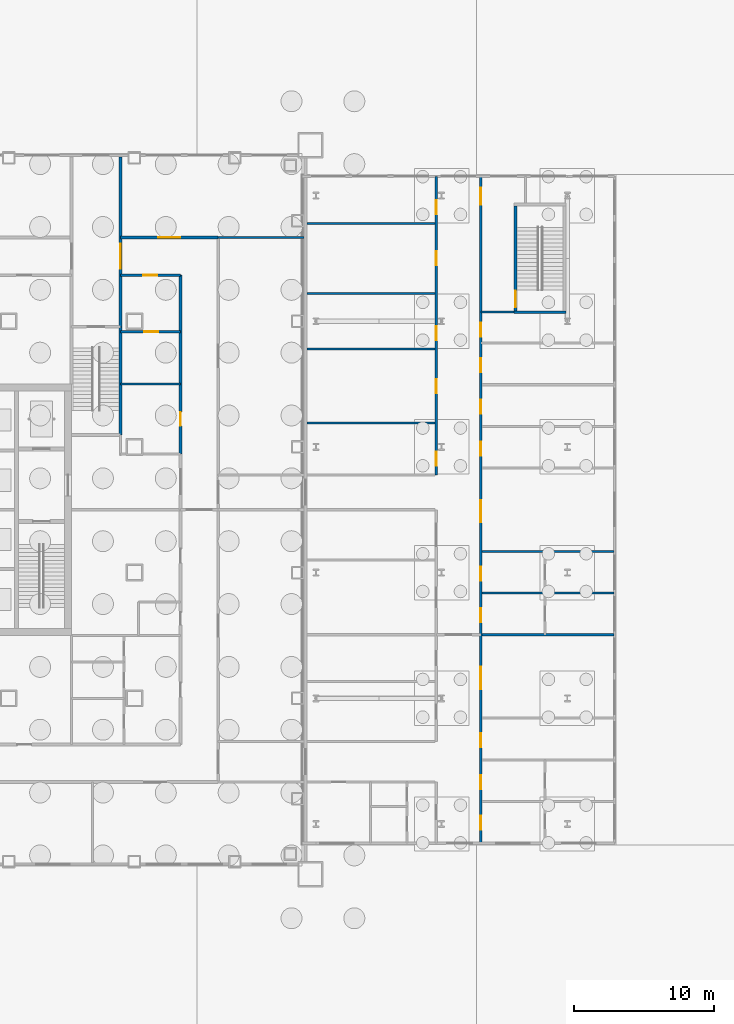
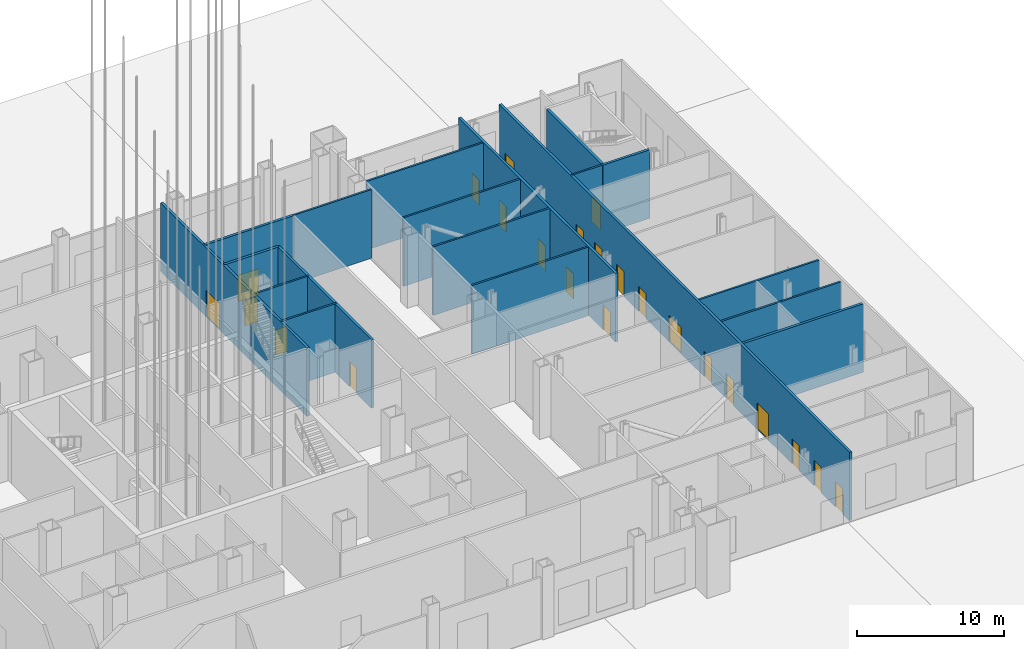
# One storey, part 11 of 36: 23 doors, 20 walls, 23 openings.
"""IFC4 building model written with IfcOpenShell, lengths in metres."""

from ifc_helpers import new_model, si_unit, direction, frame, frame_2d, origin, place, context, subcontext, project, spatial, rectangle, extrude, material, layer, layer_set, type_object, element, fill, save


model = new_model("IFC4")

# Units and contexts
model_context = context("Model", 3, precision=1e-05, world=origin(), true_north=direction((0.0, 1.0)))
body_context = subcontext(model_context, "Body", "Model", "MODEL_VIEW")
ifc_project = project(units=[si_unit("LENGTHUNIT", "METRE"), si_unit("AREAUNIT", "SQUARE_METRE"), si_unit("VOLUMEUNIT", "CUBIC_METRE"), si_unit("PLANEANGLEUNIT", "RADIAN"), si_unit("MASSUNIT", "GRAM", prefix="KILO")], contexts=[model_context])

# Site, building, storey
site_placement = place(None, origin())
site = spatial("IfcSite", under=ifc_project, at=site_placement, CompositionType="ELEMENT")
building_placement = place(site_placement, origin())
building = spatial("IfcBuilding", under=site, at=building_placement, Name="Malebo Sky Hospital", CompositionType="ELEMENT")
storey_placement = place(building_placement, origin())
storey = spatial("IfcBuildingStorey", under=building, at=storey_placement, Name="L00", CompositionType="ELEMENT", Elevation=0.0)

# Wall, opening, door
ifc_material_1 = material(Name="Gypsum board on steel studs", Category="steel")
ifc_layer_1 = layer(ifc_material_1, 0.199951171875)
ifc_layer_set_1 = layer_set([ifc_layer_1], Name="CORRIDOR WALL 200")
wall_type_1 = type_object("IfcWallType", Name="CORRIDOR WALL 200", PredefinedType="PARTITIONING", material=ifc_layer_set_1)
wall_1_placement = place(storey_placement, frame((72.5, 81.5, 0.0), z_axis=(0.0, 0.0, 1.0), x_axis=(1.0, 0.0, 0.0)))
wall_1 = element("IfcWall", 1, at=wall_1_placement, inside=storey, type_object=wall_type_1, Name="Corridor Wall 200 NCO/2", PredefinedType="PARTITIONING", context=body_context, shape_type="SweptSolid", body=[
    extrude(rectangle(XDim=7.0, YDim=0.199951171875, at=frame_2d((3.5, 0.0))), origin(), (0.0, 0.0, 1.0), 5.699951171875),
])
opening_1_placement = place(wall_1_placement, frame((2.699951171875, 0.0, 0.0)))
opening_1 = element("IfcOpeningElement", 2, at=opening_1_placement, cuts=wall_1, Name="Opening D14", PredefinedType="OPENING", context=body_context, shape_type="SweptSolid", body=[
    extrude(rectangle(XDim=1.60009765625, YDim=2.199951171875, at=frame_2d((0.800048828125, 1.10009765625))), frame((0.0, 0.10986328125, 0.0), z_axis=(0.0, -1.0, 0.0), x_axis=(1.0, 0.0, 0.0)), (0.0, 0.0, 1.0), 0.219970703125),
])
ifc_material_2 = material(Name="Hardwood-faced door leaf in steel frame", Category="steel")
door_type_1 = type_object("IfcDoorType", Name="DEPARTMENT DOOR PAIR 1600", OperationType="DOUBLE_DOOR_DOUBLE_SWING", PredefinedType="DOOR", material=ifc_material_2)
door_1_placement = place(opening_1_placement, origin())
door_1 = element("IfcDoor", 3, at=door_1_placement, inside=storey, type_object=door_type_1, Name="Retail pharmacy door", OperationType="DOUBLE_DOOR_DOUBLE_SWING", OverallHeight=2.199951171875, OverallWidth=1.60009765625, PredefinedType="DOOR", context=body_context, shape_type="SweptSolid", body=[
    extrude(rectangle(XDim=1.60009765625, YDim=2.199951171875, at=frame_2d((0.800048828125, 1.10009765625))), frame((0.0, 0.02490234375, 0.0), z_axis=(0.0, -1.0, 0.0), x_axis=(1.0, 0.0, 0.0)), (0.0, 0.0, 1.0), 0.050048828125),
])
fill(opening_1, door_1)

wall_2_placement = place(storey_placement, frame((72.5, 78.800048828125, 0.0), z_axis=(0.0, 0.0, 1.0), x_axis=(1.0, 0.0, 0.0)))
wall_2 = element("IfcWall", 4, at=wall_2_placement, inside=storey, type_object=wall_type_1, Name="Corridor Wall 200 NCI2/2", PredefinedType="PARTITIONING", context=body_context, shape_type="SweptSolid", body=[
    extrude(rectangle(XDim=4.300048828125, YDim=0.199951171875, at=frame_2d((2.14990234375, 0.0))), origin(), (0.0, 0.0, 1.0), 5.699951171875),
])
opening_2_placement = place(wall_2_placement, frame((1.64990234375, 0.0, 0.0)))
opening_2 = element("IfcOpeningElement", 5, at=opening_2_placement, cuts=wall_2, Name="Opening D03", PredefinedType="OPENING", context=body_context, shape_type="SweptSolid", body=[
    extrude(rectangle(XDim=1.0, YDim=2.10009765625, at=frame_2d((0.5, 1.050048828125))), frame((0.0, 0.10986328125, 0.0), z_axis=(0.0, -1.0, 0.0), x_axis=(1.0, 0.0, 0.0)), (0.0, 0.0, 1.0), 0.219970703125),
])
door_type_2 = type_object("IfcDoorType", Name="ROOM DOOR 1000", OperationType="SINGLE_SWING_LEFT", PredefinedType="DOOR", material=ifc_material_2)
door_2_placement = place(opening_2_placement, origin())
door_2 = element("IfcDoor", 6, at=door_2_placement, inside=storey, type_object=door_type_2, Name="Patient WC vestibule door", OperationType="SINGLE_SWING_LEFT", OverallHeight=2.10009765625, OverallWidth=1.0, PredefinedType="DOOR", context=body_context, shape_type="SweptSolid", body=[
    extrude(rectangle(XDim=1.0, YDim=2.10009765625, at=frame_2d((0.5, 1.050048828125))), frame((0.0, 0.02490234375, 0.0), z_axis=(0.0, -1.0, 0.0), x_axis=(1.0, 0.0, 0.0)), (0.0, 0.0, 1.0), 0.050048828125),
])
fill(opening_2, door_2)

wall_3_placement = place(storey_placement, frame((76.800048828125, 78.800048828125, 0.0), z_axis=(0.0, 0.0, 1.0), x_axis=(0.0, -1.0, 0.0)))
wall_3 = element("IfcWall", 7, at=wall_3_placement, inside=storey, type_object=wall_type_1, Name="Corridor Wall 200 ECI1", PredefinedType="PARTITIONING", context=body_context, shape_type="SweptSolid", body=[
    extrude(rectangle(XDim=12.800048828125, YDim=0.199951171875, at=frame_2d((6.39990234375, 0.0))), origin(), (0.0, 0.0, 1.0), 5.699951171875),
])
opening_3_placement = place(wall_3_placement, frame((9.800048828125, 0.0, 0.0)))
opening_3 = element("IfcOpeningElement", 8, at=opening_3_placement, cuts=wall_3, Name="Opening D03", PredefinedType="OPENING", context=body_context, shape_type="SweptSolid", body=[
    extrude(rectangle(XDim=1.0, YDim=2.10009765625, at=frame_2d((0.5, 1.050048828125))), frame((0.0, 0.10986328125, 0.0), z_axis=(0.0, -1.0, 0.0), x_axis=(1.0, 0.0, 0.0)), (0.0, 0.0, 1.0), 0.219970703125),
])
door_3_placement = place(opening_3_placement, origin())
door_3 = element("IfcDoor", 9, at=door_3_placement, inside=storey, type_object=door_type_2, Name="Information office door", OperationType="SINGLE_SWING_LEFT", OverallHeight=2.10009765625, OverallWidth=1.0, PredefinedType="DOOR", context=body_context, shape_type="SweptSolid", body=[
    extrude(rectangle(XDim=1.0, YDim=2.10009765625, at=frame_2d((0.5, 1.050048828125))), frame((0.0, 0.02490234375, 0.0), z_axis=(0.0, -1.0, 0.0), x_axis=(1.0, 0.0, 0.0)), (0.0, 0.0, 1.0), 0.050048828125),
])
fill(opening_3, door_3)

# Wall, openings, doors
wall_4_placement = place(storey_placement, frame((98.306884765625, 38.14990234375, 0.0), z_axis=(0.0, 0.0, 1.0), x_axis=(0.0, 1.0, 0.0)))
wall_4 = element("IfcWall", 10, at=wall_4_placement, inside=storey, type_object=wall_type_1, Name="Corridor Wall 200 EWC1", PredefinedType="PARTITIONING", context=body_context, shape_type="SweptSolid", body=[
    extrude(rectangle(XDim=47.7001953125, YDim=0.199951171875, at=frame_2d((23.85009765625, 0.0))), origin(), (0.0, 0.0, 1.0), 5.699951171875),
])
opening_4_placement = place(wall_4_placement, frame((45.699951171875, 0.0, 0.0)))
opening_4 = element("IfcOpeningElement", 11, at=opening_4_placement, cuts=wall_4, Name="Opening D08", PredefinedType="OPENING", context=body_context, shape_type="SweptSolid", body=[
    extrude(rectangle(XDim=1.199951171875, YDim=2.10009765625, at=frame_2d((0.60009765625, 1.050048828125))), frame((0.0, 0.10986328125, 0.0), z_axis=(0.0, -1.0, 0.0), x_axis=(1.0, 0.0, 0.0)), (0.0, 0.0, 1.0), 0.219970703125),
])
opening_5_placement = place(wall_4_placement, frame((36.24365234375, 0.0, 0.0)))
opening_5 = element("IfcOpeningElement", 12, at=opening_5_placement, cuts=wall_4, Name="Opening D03", PredefinedType="OPENING", context=body_context, shape_type="SweptSolid", body=[
    extrude(rectangle(XDim=1.0, YDim=2.10009765625, at=frame_2d((0.5, 1.050048828125))), frame((0.0, 0.10986328125, 0.0), z_axis=(0.0, -1.0, 0.0), x_axis=(1.0, 0.0, 0.0)), (0.0, 0.0, 1.0), 0.219970703125),
])
opening_6_placement = place(wall_4_placement, frame((0.9296875, 0.0, 0.0)))
opening_6 = element("IfcOpeningElement", 13, at=opening_6_placement, cuts=wall_4, Name="Opening D03", PredefinedType="OPENING", context=body_context, shape_type="SweptSolid", body=[
    extrude(rectangle(XDim=1.0, YDim=2.10009765625, at=frame_2d((0.5, 1.050048828125))), frame((0.0, 0.10986328125, 0.0), z_axis=(0.0, -1.0, 0.0), x_axis=(1.0, 0.0, 0.0)), (0.0, 0.0, 1.0), 0.219970703125),
])
opening_7_placement = place(wall_4_placement, frame((3.8515625, 0.0, 0.0)))
opening_7 = element("IfcOpeningElement", 14, at=opening_7_placement, cuts=wall_4, Name="Opening D03", PredefinedType="OPENING", context=body_context, shape_type="SweptSolid", body=[
    extrude(rectangle(XDim=1.0, YDim=2.10009765625, at=frame_2d((0.5, 1.050048828125))), frame((0.0, 0.10986328125, 0.0), z_axis=(0.0, -1.0, 0.0), x_axis=(1.0, 0.0, 0.0)), (0.0, 0.0, 1.0), 0.219970703125),
])
opening_8_placement = place(wall_4_placement, frame((6.8359375, 0.0, 0.0)))
opening_8 = element("IfcOpeningElement", 15, at=opening_8_placement, cuts=wall_4, Name="Opening D03", PredefinedType="OPENING", context=body_context, shape_type="SweptSolid", body=[
    extrude(rectangle(XDim=1.0, YDim=2.10009765625, at=frame_2d((0.5, 1.050048828125))), frame((0.0, 0.10986328125, 0.0), z_axis=(0.0, -1.0, 0.0), x_axis=(1.0, 0.0, 0.0)), (0.0, 0.0, 1.0), 0.219970703125),
])
opening_9_placement = place(wall_4_placement, frame((11.012451171875, 0.0, 0.0)))
opening_9 = element("IfcOpeningElement", 16, at=opening_9_placement, cuts=wall_4, Name="Opening D14", PredefinedType="OPENING", context=body_context, shape_type="SweptSolid", body=[
    extrude(rectangle(XDim=1.60009765625, YDim=2.199951171875, at=frame_2d((0.800048828125, 1.10009765625))), frame((0.0, 0.10986328125, 0.0), z_axis=(0.0, -1.0, 0.0), x_axis=(1.0, 0.0, 0.0)), (0.0, 0.0, 1.0), 0.219970703125),
])
opening_10_placement = place(wall_4_placement, frame((15.7890625, 0.0, 0.0)))
opening_10 = element("IfcOpeningElement", 17, at=opening_10_placement, cuts=wall_4, Name="Opening D03", PredefinedType="OPENING", context=body_context, shape_type="SweptSolid", body=[
    extrude(rectangle(XDim=1.0, YDim=2.10009765625, at=frame_2d((0.5, 1.050048828125))), frame((0.0, 0.10986328125, 0.0), z_axis=(0.0, -1.0, 0.0), x_axis=(1.0, 0.0, 0.0)), (0.0, 0.0, 1.0), 0.219970703125),
])
opening_11_placement = place(wall_4_placement, frame((18.7734375, 0.0, 0.0)))
opening_11 = element("IfcOpeningElement", 18, at=opening_11_placement, cuts=wall_4, Name="Opening D03", PredefinedType="OPENING", context=body_context, shape_type="SweptSolid", body=[
    extrude(rectangle(XDim=1.0, YDim=2.10009765625, at=frame_2d((0.5, 1.050048828125))), frame((0.0, 0.10986328125, 0.0), z_axis=(0.0, -1.0, 0.0), x_axis=(1.0, 0.0, 0.0)), (0.0, 0.0, 1.0), 0.219970703125),
])
opening_12_placement = place(wall_4_placement, frame((22.949951171875, 0.0, 0.0)))
opening_12 = element("IfcOpeningElement", 19, at=opening_12_placement, cuts=wall_4, Name="Opening D14", PredefinedType="OPENING", context=body_context, shape_type="SweptSolid", body=[
    extrude(rectangle(XDim=1.60009765625, YDim=2.199951171875, at=frame_2d((0.800048828125, 1.10009765625))), frame((0.0, 0.10986328125, 0.0), z_axis=(0.0, -1.0, 0.0), x_axis=(1.0, 0.0, 0.0)), (0.0, 0.0, 1.0), 0.219970703125),
])
opening_13_placement = place(wall_4_placement, frame((27.7265625, 0.0, 0.0)))
opening_13 = element("IfcOpeningElement", 20, at=opening_13_placement, cuts=wall_4, Name="Opening D03", PredefinedType="OPENING", context=body_context, shape_type="SweptSolid", body=[
    extrude(rectangle(XDim=1.0, YDim=2.10009765625, at=frame_2d((0.5, 1.050048828125))), frame((0.0, 0.10986328125, 0.0), z_axis=(0.0, -1.0, 0.0), x_axis=(1.0, 0.0, 0.0)), (0.0, 0.0, 1.0), 0.219970703125),
])
opening_14_placement = place(wall_4_placement, frame((30.7109375, 0.0, 0.0)))
opening_14 = element("IfcOpeningElement", 21, at=opening_14_placement, cuts=wall_4, Name="Opening D03", PredefinedType="OPENING", context=body_context, shape_type="SweptSolid", body=[
    extrude(rectangle(XDim=1.0, YDim=2.10009765625, at=frame_2d((0.5, 1.050048828125))), frame((0.0, 0.10986328125, 0.0), z_axis=(0.0, -1.0, 0.0), x_axis=(1.0, 0.0, 0.0)), (0.0, 0.0, 1.0), 0.219970703125),
])
opening_15_placement = place(wall_4_placement, frame((33.6953125, 0.0, 0.0)))
opening_15 = element("IfcOpeningElement", 22, at=opening_15_placement, cuts=wall_4, Name="Opening D03", PredefinedType="OPENING", context=body_context, shape_type="SweptSolid", body=[
    extrude(rectangle(XDim=1.0, YDim=2.10009765625, at=frame_2d((0.5, 1.050048828125))), frame((0.0, 0.10986328125, 0.0), z_axis=(0.0, -1.0, 0.0), x_axis=(1.0, 0.0, 0.0)), (0.0, 0.0, 1.0), 0.219970703125),
])
door_4_placement = place(opening_9_placement, origin())
door_4 = element("IfcDoor", 23, at=door_4_placement, inside=storey, type_object=door_type_1, Name="Outpatient waiting area door", OperationType="DOUBLE_DOOR_DOUBLE_SWING", OverallHeight=2.199951171875, OverallWidth=1.60009765625, PredefinedType="DOOR", context=body_context, shape_type="SweptSolid", body=[
    extrude(rectangle(XDim=1.60009765625, YDim=2.199951171875, at=frame_2d((0.800048828125, 1.10009765625))), frame((0.0, 0.02490234375, 0.0), z_axis=(0.0, -1.0, 0.0), x_axis=(1.0, 0.0, 0.0)), (0.0, 0.0, 1.0), 0.050048828125),
])
fill(opening_9, door_4)
door_5_placement = place(opening_12_placement, origin())
door_5 = element("IfcDoor", 24, at=door_5_placement, inside=storey, type_object=door_type_1, Name="Outpatients entrance hall door", OperationType="DOUBLE_DOOR_DOUBLE_SWING", OverallHeight=2.199951171875, OverallWidth=1.60009765625, PredefinedType="DOOR", context=body_context, shape_type="SweptSolid", body=[
    extrude(rectangle(XDim=1.60009765625, YDim=2.199951171875, at=frame_2d((0.800048828125, 1.10009765625))), frame((0.0, 0.02490234375, 0.0), z_axis=(0.0, -1.0, 0.0), x_axis=(1.0, 0.0, 0.0)), (0.0, 0.0, 1.0), 0.050048828125),
])
fill(opening_12, door_5)
door_6_placement = place(opening_5_placement, origin())
door_6 = element("IfcDoor", 25, at=door_6_placement, inside=storey, type_object=door_type_2, Name="Outpatient records store door", OperationType="SINGLE_SWING_LEFT", OverallHeight=2.10009765625, OverallWidth=1.0, PredefinedType="DOOR", context=body_context, shape_type="SweptSolid", body=[
    extrude(rectangle(XDim=1.0, YDim=2.10009765625, at=frame_2d((0.5, 1.050048828125))), frame((0.0, 0.02490234375, 0.0), z_axis=(0.0, -1.0, 0.0), x_axis=(1.0, 0.0, 0.0)), (0.0, 0.0, 1.0), 0.050048828125),
])
fill(opening_5, door_6)
door_7_placement = place(opening_6_placement, origin())
door_7 = element("IfcDoor", 26, at=door_7_placement, inside=storey, type_object=door_type_2, Name="Consulting room door", OperationType="SINGLE_SWING_LEFT", OverallHeight=2.10009765625, OverallWidth=1.0, PredefinedType="DOOR", context=body_context, shape_type="SweptSolid", body=[
    extrude(rectangle(XDim=1.0, YDim=2.10009765625, at=frame_2d((0.5, 1.050048828125))), frame((0.0, 0.02490234375, 0.0), z_axis=(0.0, -1.0, 0.0), x_axis=(1.0, 0.0, 0.0)), (0.0, 0.0, 1.0), 0.050048828125),
])
fill(opening_6, door_7)
door_8_placement = place(opening_7_placement, origin())
door_8 = element("IfcDoor", 27, at=door_8_placement, inside=storey, type_object=door_type_2, Name="Consulting room door", OperationType="SINGLE_SWING_LEFT", OverallHeight=2.10009765625, OverallWidth=1.0, PredefinedType="DOOR", context=body_context, shape_type="SweptSolid", body=[
    extrude(rectangle(XDim=1.0, YDim=2.10009765625, at=frame_2d((0.5, 1.050048828125))), frame((0.0, 0.02490234375, 0.0), z_axis=(0.0, -1.0, 0.0), x_axis=(1.0, 0.0, 0.0)), (0.0, 0.0, 1.0), 0.050048828125),
])
fill(opening_7, door_8)
door_9_placement = place(opening_8_placement, origin())
door_9 = element("IfcDoor", 28, at=door_9_placement, inside=storey, type_object=door_type_2, Name="Treatment room door", OperationType="SINGLE_SWING_LEFT", OverallHeight=2.10009765625, OverallWidth=1.0, PredefinedType="DOOR", context=body_context, shape_type="SweptSolid", body=[
    extrude(rectangle(XDim=1.0, YDim=2.10009765625, at=frame_2d((0.5, 1.050048828125))), frame((0.0, 0.02490234375, 0.0), z_axis=(0.0, -1.0, 0.0), x_axis=(1.0, 0.0, 0.0)), (0.0, 0.0, 1.0), 0.050048828125),
])
fill(opening_8, door_9)
door_10_placement = place(opening_10_placement, origin())
door_10 = element("IfcDoor", 29, at=door_10_placement, inside=storey, type_object=door_type_2, Name="Consulting room door", OperationType="SINGLE_SWING_LEFT", OverallHeight=2.10009765625, OverallWidth=1.0, PredefinedType="DOOR", context=body_context, shape_type="SweptSolid", body=[
    extrude(rectangle(XDim=1.0, YDim=2.10009765625, at=frame_2d((0.5, 1.050048828125))), frame((0.0, 0.02490234375, 0.0), z_axis=(0.0, -1.0, 0.0), x_axis=(1.0, 0.0, 0.0)), (0.0, 0.0, 1.0), 0.050048828125),
])
fill(opening_10, door_10)
door_11_placement = place(opening_11_placement, origin())
door_11 = element("IfcDoor", 30, at=door_11_placement, inside=storey, type_object=door_type_2, Name="Consulting room door", OperationType="SINGLE_SWING_LEFT", OverallHeight=2.10009765625, OverallWidth=1.0, PredefinedType="DOOR", context=body_context, shape_type="SweptSolid", body=[
    extrude(rectangle(XDim=1.0, YDim=2.10009765625, at=frame_2d((0.5, 1.050048828125))), frame((0.0, 0.02490234375, 0.0), z_axis=(0.0, -1.0, 0.0), x_axis=(1.0, 0.0, 0.0)), (0.0, 0.0, 1.0), 0.050048828125),
])
fill(opening_11, door_11)
door_12_placement = place(opening_13_placement, origin())
door_12 = element("IfcDoor", 31, at=door_12_placement, inside=storey, type_object=door_type_2, Name="Phlebotomy room door", OperationType="SINGLE_SWING_LEFT", OverallHeight=2.10009765625, OverallWidth=1.0, PredefinedType="DOOR", context=body_context, shape_type="SweptSolid", body=[
    extrude(rectangle(XDim=1.0, YDim=2.10009765625, at=frame_2d((0.5, 1.050048828125))), frame((0.0, 0.02490234375, 0.0), z_axis=(0.0, -1.0, 0.0), x_axis=(1.0, 0.0, 0.0)), (0.0, 0.0, 1.0), 0.050048828125),
])
fill(opening_13, door_12)
door_13_placement = place(opening_14_placement, origin())
door_13 = element("IfcDoor", 32, at=door_13_placement, inside=storey, type_object=door_type_2, Name="Health records store door", OperationType="SINGLE_SWING_LEFT", OverallHeight=2.10009765625, OverallWidth=1.0, PredefinedType="DOOR", context=body_context, shape_type="SweptSolid", body=[
    extrude(rectangle(XDim=1.0, YDim=2.10009765625, at=frame_2d((0.5, 1.050048828125))), frame((0.0, 0.02490234375, 0.0), z_axis=(0.0, -1.0, 0.0), x_axis=(1.0, 0.0, 0.0)), (0.0, 0.0, 1.0), 0.050048828125),
])
fill(opening_14, door_13)
door_14_placement = place(opening_15_placement, origin())
door_14 = element("IfcDoor", 33, at=door_14_placement, inside=storey, type_object=door_type_2, Name="Outpatient nurse base door", OperationType="SINGLE_SWING_LEFT", OverallHeight=2.10009765625, OverallWidth=1.0, PredefinedType="DOOR", context=body_context, shape_type="SweptSolid", body=[
    extrude(rectangle(XDim=1.0, YDim=2.10009765625, at=frame_2d((0.5, 1.050048828125))), frame((0.0, 0.02490234375, 0.0), z_axis=(0.0, -1.0, 0.0), x_axis=(1.0, 0.0, 0.0)), (0.0, 0.0, 1.0), 0.050048828125),
])
fill(opening_15, door_14)
door_type_3 = type_object("IfcDoorType", Name="STAIR DOOR 1200", OperationType="SINGLE_SWING_LEFT", PredefinedType="DOOR", material=ifc_material_2)
door_15_placement = place(opening_4_placement, frame((1.199951171875, 0.0, 0.0), z_axis=(0.0, 0.0, 1.0), x_axis=(-1.0, 0.0, 0.0)))
door_15 = element("IfcDoor", 34, at=door_15_placement, inside=storey, type_object=door_type_3, Name="Stair lobby door", OperationType="SINGLE_SWING_LEFT", OverallHeight=2.10009765625, OverallWidth=1.199951171875, PredefinedType="DOOR", context=body_context, shape_type="SweptSolid", body=[
    extrude(rectangle(XDim=1.199951171875, YDim=2.10009765625, at=frame_2d((0.60009765625, 1.050048828125))), frame((0.0, 0.02490234375, 0.0), z_axis=(0.0, -1.0, 0.0), x_axis=(1.0, 0.0, 0.0)), (0.0, 0.0, 1.0), 0.050048828125),
])
fill(opening_4, door_15)

wall_5_placement = place(storey_placement, frame((95.117919921875, 64.5, 0.0), z_axis=(0.0, 0.0, 1.0), x_axis=(0.0, 1.0, 0.0)))
wall_5 = element("IfcWall", 35, at=wall_5_placement, inside=storey, type_object=wall_type_1, Name="Corridor Wall 200 EWC2C", PredefinedType="PARTITIONING", context=body_context, shape_type="SweptSolid", body=[
    extrude(rectangle(XDim=21.35009765625, YDim=0.199951171875, at=frame_2d((10.675048828125, 0.0))), origin(), (0.0, 0.0, 1.0), 5.699951171875),
])
opening_16_placement = place(wall_5_placement, frame((0.64990234375, 0.0, 0.0)))
opening_16 = element("IfcOpeningElement", 36, at=opening_16_placement, cuts=wall_5, Name="Opening D03", PredefinedType="OPENING", context=body_context, shape_type="SweptSolid", body=[
    extrude(rectangle(XDim=1.0, YDim=2.10009765625, at=frame_2d((0.5, 1.050048828125))), frame((0.0, 0.10986328125, 0.0), z_axis=(0.0, -1.0, 0.0), x_axis=(1.0, 0.0, 0.0)), (0.0, 0.0, 1.0), 0.219970703125),
])
opening_17_placement = place(wall_5_placement, frame((5.85009765625, 0.0, 0.0)))
opening_17 = element("IfcOpeningElement", 37, at=opening_17_placement, cuts=wall_5, Name="Opening D03", PredefinedType="OPENING", context=body_context, shape_type="SweptSolid", body=[
    extrude(rectangle(XDim=1.0, YDim=2.10009765625, at=frame_2d((0.5, 1.050048828125))), frame((0.0, 0.10986328125, 0.0), z_axis=(0.0, -1.0, 0.0), x_axis=(1.0, 0.0, 0.0)), (0.0, 0.0, 1.0), 0.219970703125),
])
opening_18_placement = place(wall_5_placement, frame((9.64990234375, 0.0, 0.0)))
opening_18 = element("IfcOpeningElement", 38, at=opening_18_placement, cuts=wall_5, Name="Opening D03", PredefinedType="OPENING", context=body_context, shape_type="SweptSolid", body=[
    extrude(rectangle(XDim=1.0, YDim=2.10009765625, at=frame_2d((0.5, 1.050048828125))), frame((0.0, 0.10986328125, 0.0), z_axis=(0.0, -1.0, 0.0), x_axis=(1.0, 0.0, 0.0)), (0.0, 0.0, 1.0), 0.219970703125),
])
opening_19_placement = place(wall_5_placement, frame((15.0, 0.0, 0.0)))
opening_19 = element("IfcOpeningElement", 39, at=opening_19_placement, cuts=wall_5, Name="Opening D03", PredefinedType="OPENING", context=body_context, shape_type="SweptSolid", body=[
    extrude(rectangle(XDim=1.0, YDim=2.10009765625, at=frame_2d((0.5, 1.050048828125))), frame((0.0, 0.10986328125, 0.0), z_axis=(0.0, -1.0, 0.0), x_axis=(1.0, 0.0, 0.0)), (0.0, 0.0, 1.0), 0.219970703125),
])
opening_20_placement = place(wall_5_placement, frame((18.675048828125, 0.0, 0.0)))
opening_20 = element("IfcOpeningElement", 40, at=opening_20_placement, cuts=wall_5, Name="Opening D03", PredefinedType="OPENING", context=body_context, shape_type="SweptSolid", body=[
    extrude(rectangle(XDim=1.0, YDim=2.10009765625, at=frame_2d((0.5, 1.050048828125))), frame((0.0, 0.10986328125, 0.0), z_axis=(0.0, -1.0, 0.0), x_axis=(1.0, 0.0, 0.0)), (0.0, 0.0, 1.0), 0.219970703125),
])
door_16_placement = place(opening_16_placement, origin())
door_16 = element("IfcDoor", 41, at=door_16_placement, inside=storey, type_object=door_type_2, Name="Interview room door", OperationType="SINGLE_SWING_LEFT", OverallHeight=2.10009765625, OverallWidth=1.0, PredefinedType="DOOR", context=body_context, shape_type="SweptSolid", body=[
    extrude(rectangle(XDim=1.0, YDim=2.10009765625, at=frame_2d((0.5, 1.050048828125))), frame((0.0, 0.02490234375, 0.0), z_axis=(0.0, -1.0, 0.0), x_axis=(1.0, 0.0, 0.0)), (0.0, 0.0, 1.0), 0.050048828125),
])
fill(opening_16, door_16)
door_17_placement = place(opening_17_placement, origin())
door_17 = element("IfcDoor", 42, at=door_17_placement, inside=storey, type_object=door_type_2, Name="Clean utility room door", OperationType="SINGLE_SWING_LEFT", OverallHeight=2.10009765625, OverallWidth=1.0, PredefinedType="DOOR", context=body_context, shape_type="SweptSolid", body=[
    extrude(rectangle(XDim=1.0, YDim=2.10009765625, at=frame_2d((0.5, 1.050048828125))), frame((0.0, 0.02490234375, 0.0), z_axis=(0.0, -1.0, 0.0), x_axis=(1.0, 0.0, 0.0)), (0.0, 0.0, 1.0), 0.050048828125),
])
fill(opening_17, door_17)
door_18_placement = place(opening_18_placement, origin())
door_18 = element("IfcDoor", 43, at=door_18_placement, inside=storey, type_object=door_type_2, Name="Dirty utility room door", OperationType="SINGLE_SWING_LEFT", OverallHeight=2.10009765625, OverallWidth=1.0, PredefinedType="DOOR", context=body_context, shape_type="SweptSolid", body=[
    extrude(rectangle(XDim=1.0, YDim=2.10009765625, at=frame_2d((0.5, 1.050048828125))), frame((0.0, 0.02490234375, 0.0), z_axis=(0.0, -1.0, 0.0), x_axis=(1.0, 0.0, 0.0)), (0.0, 0.0, 1.0), 0.050048828125),
])
fill(opening_18, door_18)
door_19_placement = place(opening_19_placement, origin())
door_19 = element("IfcDoor", 44, at=door_19_placement, inside=storey, type_object=door_type_2, Name="Outpatient store door", OperationType="SINGLE_SWING_LEFT", OverallHeight=2.10009765625, OverallWidth=1.0, PredefinedType="DOOR", context=body_context, shape_type="SweptSolid", body=[
    extrude(rectangle(XDim=1.0, YDim=2.10009765625, at=frame_2d((0.5, 1.050048828125))), frame((0.0, 0.02490234375, 0.0), z_axis=(0.0, -1.0, 0.0), x_axis=(1.0, 0.0, 0.0)), (0.0, 0.0, 1.0), 0.050048828125),
])
fill(opening_19, door_19)
door_20_placement = place(opening_20_placement, origin())
door_20 = element("IfcDoor", 45, at=door_20_placement, inside=storey, type_object=door_type_2, Name="Staff rest room door", OperationType="SINGLE_SWING_LEFT", OverallHeight=2.10009765625, OverallWidth=1.0, PredefinedType="DOOR", context=body_context, shape_type="SweptSolid", body=[
    extrude(rectangle(XDim=1.0, YDim=2.10009765625, at=frame_2d((0.5, 1.050048828125))), frame((0.0, 0.02490234375, 0.0), z_axis=(0.0, -1.0, 0.0), x_axis=(1.0, 0.0, 0.0)), (0.0, 0.0, 1.0), 0.050048828125),
])
fill(opening_20, door_20)

# Wall, opening, door
ifc_layer_2 = layer(ifc_material_1, 0.14990234375)
ifc_layer_set_2 = layer_set([ifc_layer_2], Name="PARTITION 150")
wall_type_2 = type_object("IfcWallType", Name="PARTITION 150", PredefinedType="PARTITIONING", material=ifc_layer_set_2)
wall_6_placement = place(storey_placement, frame((72.5, 74.75, 0.0), z_axis=(0.0, 0.0, 1.0), x_axis=(1.0, 0.0, 0.0)))
wall_6 = element("IfcWall", 46, at=wall_6_placement, inside=storey, type_object=wall_type_2, Name="Partition 150 NS2F", PredefinedType="PARTITIONING", context=body_context, shape_type="SweptSolid", body=[
    extrude(rectangle(XDim=4.300048828125, YDim=0.14990234375, at=frame_2d((2.14990234375, 0.0))), origin(), (0.0, 0.0, 1.0), 5.699951171875),
])
opening_21_placement = place(wall_6_placement, frame((1.699951171875, 0.0, 0.0)))
opening_21 = element("IfcOpeningElement", 47, at=opening_21_placement, cuts=wall_6, Name="Opening D03", PredefinedType="OPENING", context=body_context, shape_type="SweptSolid", body=[
    extrude(rectangle(XDim=1.0, YDim=2.10009765625, at=frame_2d((0.5, 1.050048828125))), frame((0.0, 0.0849609375, 0.0), z_axis=(0.0, -1.0, 0.0), x_axis=(1.0, 0.0, 0.0)), (0.0, 0.0, 1.0), 0.169921875),
])
door_21_placement = place(opening_21_placement, origin())
door_21 = element("IfcDoor", 48, at=door_21_placement, inside=storey, type_object=door_type_2, Name="Accessible WC door", OperationType="SINGLE_SWING_RIGHT", OverallHeight=2.10009765625, OverallWidth=1.0, PredefinedType="DOOR", context=body_context, shape_type="SweptSolid", body=[
    extrude(rectangle(XDim=1.0, YDim=2.10009765625, at=frame_2d((0.5, 1.050048828125))), frame((0.0, 0.02490234375, 0.0), z_axis=(0.0, -1.0, 0.0), x_axis=(1.0, 0.0, 0.0)), (0.0, 0.0, 1.0), 0.050048828125),
])
fill(opening_21, door_21)

# Walls
wall_7_placement = place(storey_placement, frame((79.5, 81.5, 0.0), z_axis=(0.0, 0.0, 1.0), x_axis=(1.0, 0.0, 0.0)))
element("IfcWall", 49, at=wall_7_placement, inside=storey, type_object=wall_type_2, Name="Partition 150 EP-19.5", PredefinedType="PARTITIONING", context=body_context, shape_type="SweptSolid", body=[
    extrude(rectangle(XDim=6.14990234375, YDim=0.14990234375, at=frame_2d((3.074951171875, 0.0))), origin(), (0.0, 0.0, 1.0), 5.699951171875),
])
wall_8_placement = place(storey_placement, frame((72.5, 71.0, 0.0), z_axis=(0.0, 0.0, 1.0), x_axis=(1.0, 0.0, 0.0)))
element("IfcWall", 50, at=wall_8_placement, inside=storey, type_object=wall_type_2, Name="Partition 150 ESPM", PredefinedType="PARTITIONING", context=body_context, shape_type="SweptSolid", body=[
    extrude(rectangle(XDim=4.300048828125, YDim=0.14990234375, at=frame_2d((2.14990234375, 0.0))), origin(), (0.0, 0.0, 1.0), 5.699951171875),
])
wall_9_placement = place(storey_placement, frame((100.699951171875, 76.14990234375, 0.0), z_axis=(0.0, 0.0, 1.0), x_axis=(-1.0, 0.0, 0.0)))
element("IfcWall", 51, at=wall_9_placement, inside=storey, type_object=wall_type_2, Name="Partition 150 ELS", PredefinedType="PARTITIONING", context=body_context, shape_type="SweptSolid", body=[
    extrude(rectangle(XDim=2.39306640625, YDim=0.14990234375, at=frame_2d((1.196533203125, 0.0))), origin(), (0.0, 0.0, 1.0), 5.699951171875),
])
for number, where, z_axis, x_axis, name in (
    (52, (107.85009765625, 56.03125, 0.0), (0.0, 0.0, 1.0), (-1.0, 0.0, 0.0), "Partition 150 EOH04"),
    (53, (107.85009765625, 59.015625, 0.0), (0.0, 0.0, 1.0), (-1.0, 0.0, 0.0), "Partition 150 EOH05"),
):
    element("IfcWall", number, at=place(storey_placement, frame(where, z_axis=z_axis, x_axis=x_axis)), inside=storey, type_object=wall_type_2, Name=name, PredefinedType="PARTITIONING", context=body_context, shape_type="SweptSolid", body=[
        extrude(rectangle(XDim=9.443115234375, YDim=0.14990234375, at=frame_2d((4.7216796875, 0.0))), origin(), (0.0, 0.0, 1.0), 5.699951171875),
    ])
for number, where, z_axis, x_axis, name in (
    (54, (95.01806640625, 68.199951171875, 0.0), (0.0, 0.0, 1.0), (-1.0, 0.0, 0.0), "Partition 150 EIH08"),
    (55, (95.01806640625, 73.5, 0.0), (0.0, 0.0, 1.0), (-1.0, 0.0, 0.0), "Partition 150 EIH09"),
    (56, (95.01806640625, 77.5, 0.0), (0.0, 0.0, 1.0), (-1.0, 0.0, 0.0), "Partition 150 EIH10"),
    (57, (95.01806640625, 82.5, 0.0), (0.0, 0.0, 1.0), (-1.0, 0.0, 0.0), "Partition 150 EIH11"),
):
    element("IfcWall", number, at=place(storey_placement, frame(where, z_axis=z_axis, x_axis=x_axis)), inside=storey, type_object=wall_type_2, Name=name, PredefinedType="PARTITIONING", context=body_context, shape_type="SweptSolid", body=[
        extrude(rectangle(XDim=9.16796875, YDim=0.14990234375, at=frame_2d((4.583984375, 0.0))), origin(), (0.0, 0.0, 1.0), 5.699951171875),
    ])
ifc_material_3 = material(Name="Concrete blockwork", Category="masonry")
ifc_layer_3 = layer(ifc_material_3, 0.199951171875)
ifc_layer_set_3 = layer_set([ifc_layer_3], Name="SMOKE BARRIER WALL 200")
wall_type_3 = type_object("IfcWallType", Name="SMOKE BARRIER WALL 200", PredefinedType="SOLIDWALL", material=ifc_layer_set_3)
wall_10_placement = place(storey_placement, frame((107.85009765625, 53.046875, 0.0), z_axis=(0.0, 0.0, 1.0), x_axis=(-1.0, 0.0, 0.0)))
element("IfcWall", 58, at=wall_10_placement, inside=storey, type_object=wall_type_3, Name="Smoke Barrier Wall 200 EOH03", PredefinedType="SOLIDWALL", context=body_context, shape_type="SweptSolid", body=[
    extrude(rectangle(XDim=9.443115234375, YDim=0.199951171875, at=frame_2d((4.7216796875, 0.0))), origin(), (0.0, 0.0, 1.0), 5.699951171875),
])
ifc_material_4 = material(Name="Concrete C40/50", Category="concrete")
ifc_layer_4 = layer(ifc_material_4, 0.199951171875)
ifc_layer_set_4 = layer_set([ifc_layer_4], Name="STAIR ENCLOSURE WALL 200")
wall_type_4 = type_object("IfcWallType", Name="STAIR ENCLOSURE WALL 200", PredefinedType="SOLIDWALL", material=ifc_layer_set_4)
wall_11_placement = place(storey_placement, frame((100.699951171875, 76.14990234375, 0.0), z_axis=(0.0, 0.0, 1.0), x_axis=(1.0, 0.0, 0.0)))
element("IfcWall", 59, at=wall_11_placement, inside=storey, type_object=wall_type_4, Name="Stair Enclosure Wall 200 ESS", PredefinedType="SOLIDWALL", context=body_context, shape_type="SweptSolid", body=[
    extrude(rectangle(XDim=3.699951171875, YDim=0.199951171875, at=frame_2d((1.85009765625, 0.0))), origin(), (0.0, 0.0, 1.0), 5.699951171875),
])

# Wall, opening, door
wall_12_placement = place(storey_placement, frame((100.800048828125, 76.25, 0.0), z_axis=(0.0, 0.0, 1.0), x_axis=(0.0, 1.0, 0.0)))
wall_12 = element("IfcWall", 60, at=wall_12_placement, inside=storey, type_object=wall_type_4, Name="Stair Enclosure Wall 200 ESW", PredefinedType="SOLIDWALL", context=body_context, shape_type="SweptSolid", body=[
    extrude(rectangle(XDim=7.5, YDim=0.199951171875, at=frame_2d((3.75, 0.0))), origin(), (0.0, 0.0, 1.0), 5.699951171875),
])
opening_22_placement = place(wall_12_placement, frame((0.25, 0.0, 0.0)))
opening_22 = element("IfcOpeningElement", 61, at=opening_22_placement, cuts=wall_12, Name="Opening D08", PredefinedType="OPENING", context=body_context, shape_type="SweptSolid", body=[
    extrude(rectangle(XDim=1.199951171875, YDim=2.10009765625, at=frame_2d((0.60009765625, 1.050048828125))), frame((0.0, 0.10986328125, 0.0), z_axis=(0.0, -1.0, 0.0), x_axis=(1.0, 0.0, 0.0)), (0.0, 0.0, 1.0), 0.219970703125),
])
door_22_placement = place(opening_22_placement, frame((1.199951171875, 0.0, 0.0), z_axis=(0.0, 0.0, 1.0), x_axis=(-1.0, 0.0, 0.0)))
door_22 = element("IfcDoor", 62, at=door_22_placement, inside=storey, type_object=door_type_3, Name="Stair ES door", OperationType="SINGLE_SWING_RIGHT", OverallHeight=2.10009765625, OverallWidth=1.199951171875, PredefinedType="DOOR", context=body_context, shape_type="SweptSolid", body=[
    extrude(rectangle(XDim=1.199951171875, YDim=2.10009765625, at=frame_2d((0.60009765625, 1.050048828125))), frame((0.0, 0.02490234375, 0.0), z_axis=(0.0, -1.0, 0.0), x_axis=(1.0, 0.0, 0.0)), (0.0, 0.0, 1.0), 0.050048828125),
])
fill(opening_22, door_22)

# Wall
wall_13_placement = place(storey_placement, frame((72.5, 67.35009765625, 0.0), z_axis=(0.0, 0.0, 1.0), x_axis=(0.0, 1.0, 0.0)))
element("IfcWall", 63, at=wall_13_placement, inside=storey, type_object=wall_type_4, Name="Stair Enclosure Wall 200 ST3E", PredefinedType="SOLIDWALL", context=body_context, shape_type="SweptSolid", body=[
    extrude(rectangle(XDim=7.75, YDim=0.199951171875, at=frame_2d((3.875, 0.0))), origin(), (0.0, 0.0, 1.0), 5.699951171875),
])

# Wall, opening, door
wall_14_placement = place(storey_placement, frame((72.5, 75.10009765625, 0.0), z_axis=(0.0, 0.0, 1.0), x_axis=(0.0, 1.0, 0.0)))
wall_14 = element("IfcWall", 64, at=wall_14_placement, inside=storey, type_object=wall_type_4, Name="Stair Enclosure Wall 200 ST3AE", PredefinedType="SOLIDWALL", context=body_context, shape_type="SweptSolid", body=[
    extrude(rectangle(XDim=12.14990234375, YDim=0.199951171875, at=frame_2d((6.074951171875, 0.0))), origin(), (0.0, 0.0, 1.0), 5.699951171875),
])
opening_23_placement = place(wall_14_placement, frame((4.14990234375, 0.0, 0.0)))
opening_23 = element("IfcOpeningElement", 65, at=opening_23_placement, cuts=wall_14, Name="Opening D28", PredefinedType="OPENING", context=body_context, shape_type="SweptSolid", body=[
    extrude(rectangle(XDim=1.800048828125, YDim=2.199951171875, at=frame_2d((0.89990234375, 1.10009765625))), frame((0.0, 0.10986328125, 0.0), z_axis=(0.0, -1.0, 0.0), x_axis=(1.0, 0.0, 0.0)), (0.0, 0.0, 1.0), 0.219970703125),
])
door_type_4 = type_object("IfcDoorType", Name="FIRE DOOR PAIR 1800", OperationType="DOUBLE_DOOR_SINGLE_SWING", PredefinedType="DOOR", material=ifc_material_2)
door_23_placement = place(opening_23_placement, frame((1.800048828125, 0.0, 0.0), z_axis=(0.0, 0.0, 1.0), x_axis=(-1.0, 0.0, 0.0)))
door_23 = element("IfcDoor", 66, at=door_23_placement, inside=storey, type_object=door_type_4, Name="Exit passage fire door pair", OperationType="DOUBLE_DOOR_SINGLE_SWING", OverallHeight=2.199951171875, OverallWidth=1.800048828125, PredefinedType="DOOR", context=body_context, shape_type="SweptSolid", body=[
    extrude(rectangle(XDim=1.800048828125, YDim=2.199951171875, at=frame_2d((0.89990234375, 1.10009765625))), frame((0.0, 0.02490234375, 0.0), z_axis=(0.0, -1.0, 0.0), x_axis=(1.0, 0.0, 0.0)), (0.0, 0.0, 1.0), 0.050048828125),
])
fill(opening_23, door_23)

save(model, "model.ifc")
